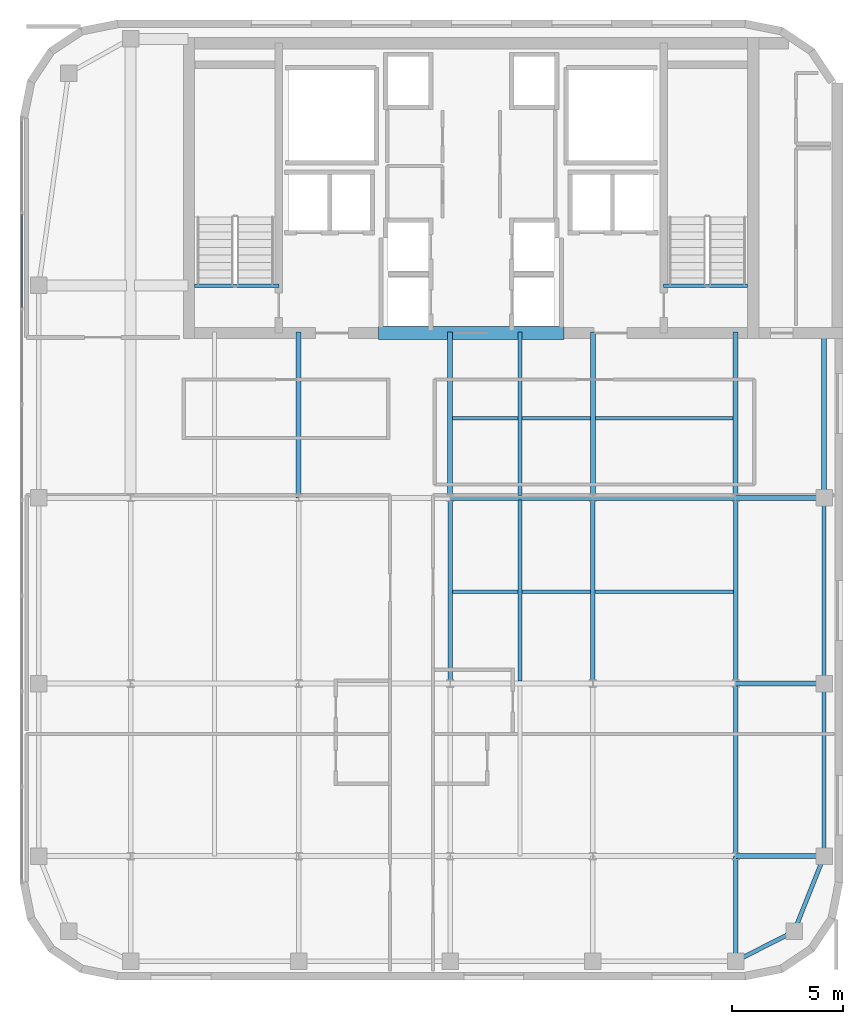
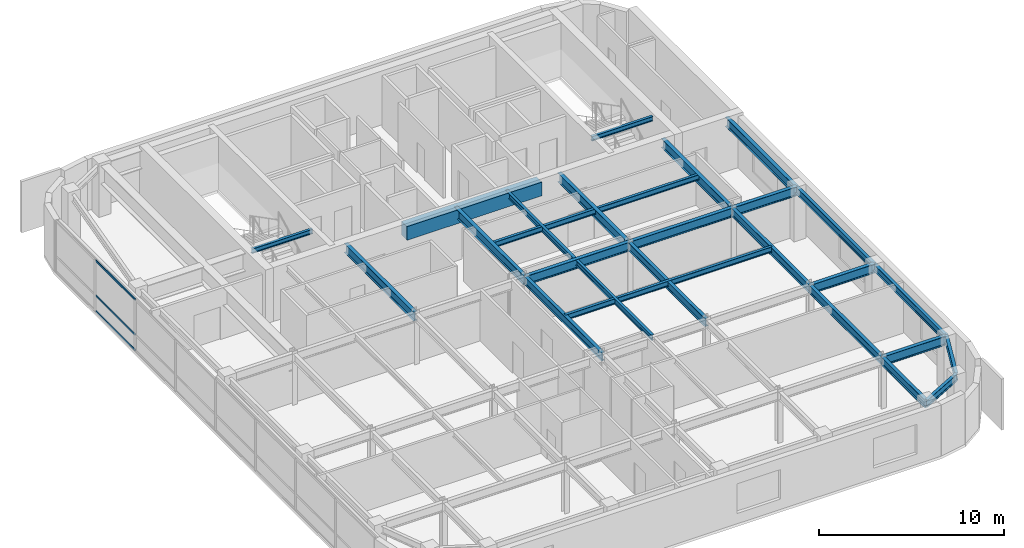
# One storey, part 10 of 19: 26 beams, 3 members, 1 element without a shape of its own.
"""IFC4 building model written with IfcOpenShell, lengths in metres."""

from ifc_helpers import new_model, si_unit, direction, frame, origin, origin_2d, place, context, subcontext, project, spatial, rectangle, hollow_rectangle, i_section, extrude, source, transform, mapped, material, layer, layer_set, material_profile, profile_set, type_object, type_shapes, element, aggregate, save


model = new_model("IFC4")

# Units and contexts
model_context = context("Model", 3, precision=1e-05, world=origin(), true_north=direction((0.0, 1.0)))
body_context = subcontext(model_context, "Body", "Model", "MODEL_VIEW")
ifc_project = project(units=[si_unit("LENGTHUNIT", "METRE"), si_unit("AREAUNIT", "SQUARE_METRE"), si_unit("VOLUMEUNIT", "CUBIC_METRE"), si_unit("PLANEANGLEUNIT", "RADIAN"), si_unit("MASSUNIT", "GRAM", prefix="KILO")], contexts=[model_context])

# Site, building, storey
site_placement = place(None, origin())
site = spatial("IfcSite", under=ifc_project, at=site_placement, CompositionType="ELEMENT")
building_placement = place(site_placement, origin())
building = spatial("IfcBuilding", under=site, at=building_placement, Name="Tolvann Quenvar Hotel", CompositionType="ELEMENT")
storey_placement = place(building_placement, frame((0.0, 0.0, 223.89990234375)))
storey = spatial("IfcBuildingStorey", under=building, at=storey_placement, Name="L59", CompositionType="ELEMENT", Elevation=223.89990234375)

# Beams
ifc_material_1 = material(Name="Concrete N50 (50 MPa)", Category="concrete")
ifc_material_profile_1 = material_profile(ifc_material_1, rectangle(XDim=0.60009765625, YDim=0.89990234375, at=origin_2d()), Name="RC600x900")
ifc_profile_set_1 = profile_set([ifc_material_profile_1], Name="Concrete N50 (50 MPa)")
beam_type_1 = type_object("IfcBeamType", Name="BM_LINT_RC600x900", PredefinedType="LINTEL", material=ifc_profile_set_1)
shared_shape_1 = source(origin(), body_context, "Body", "SweptSolid", [
    extrude(rectangle(XDim=0.60009765625, YDim=0.89990234375, at=origin_2d()), origin(), (0.0, 0.0, 1.0), 8.39990234375),
])
type_shapes(beam_type_1, [shared_shape_1])
beam_1_placement = place(storey_placement, frame((18.800048828125, 31.85009765625, 2.920166015625), z_axis=(1.0, 0.0, 0.0), x_axis=(0.0, 1.0, 0.0)))
element("IfcBeam", 1, at=beam_1_placement, inside=storey, type_object=beam_type_1, Name="Core Coupling Lintel Beam (L59)", PredefinedType="LINTEL", context=body_context, shape_type="MappedRepresentation", body=[
    mapped(shared_shape_1, transform((0.0, 0.0, 0.0), x_axis=(1.0, 0.0, 0.0), y_axis=(0.0, 1.0, 0.0), z_axis=(0.0, 0.0, 1.0), scale=1.0)),
])
ifc_material_2 = material(Name="Steel Grade 350", Category="steel")
ifc_material_profile_2 = material_profile(ifc_material_2, i_section(OverallWidth=0.208984375, OverallDepth=0.532958984375, WebThickness=0.01025390625, FlangeThickness=0.015625, FilletRadius=0.013916015625, at=origin_2d()), Name="530UB92")
ifc_profile_set_2 = profile_set([ifc_material_profile_2], Name="Steel Grade 350")
beam_type_2 = type_object("IfcBeamType", Name="BM_GIRD_530UB92", PredefinedType="BEAM", material=ifc_profile_set_2)
shared_shape_2 = source(origin(), body_context, "Body", "SweptSolid", [
    extrude(i_section(OverallWidth=0.208984375, OverallDepth=0.532958984375, WebThickness=0.01025390625, FlangeThickness=0.015625, FilletRadius=0.013916015625, at=origin_2d()), origin(), (0.0, 0.0, 1.0), 7.800048828125),
])
beam_2_placement = place(storey_placement, frame((34.949951171875, 8.199951171875, 3.103515625), z_axis=(0.0, 1.0, 0.0), x_axis=(-1.0, 0.0, 0.0)))
element("IfcBeam", 2, at=beam_2_placement, inside=storey, type_object=beam_type_2, Name="BM-L59-NS-F3-F4", PredefinedType="BEAM", context=body_context, shape_type="MappedRepresentation", body=[
    mapped(shared_shape_2, transform((0.0, 0.0, 0.0), x_axis=(1.0, 0.0, 0.0), y_axis=(0.0, 1.0, 0.0), z_axis=(0.0, 0.0, 1.0), scale=1.0)),
])
shared_shape_3 = source(origin(), body_context, "Body", "SweptSolid", [
    extrude(i_section(OverallWidth=0.208984375, OverallDepth=0.532958984375, WebThickness=0.01025390625, FlangeThickness=0.015625, FilletRadius=0.013916015625, at=origin_2d()), origin(), (0.0, 0.0, 1.0), 8.39990234375),
])
for number, where, z_axis, x_axis, name in (
    (3, (22.050048828125, 16.0, 3.103515625), (0.0, 1.0, 0.0), (-1.0, 0.0, 0.0), "BM-L59-NS-E4-E5"),
    (4, (34.949951171875, 16.0, 3.103515625), (0.0, 1.0, 0.0), (-1.0, 0.0, 0.0), "BM-L59-NS-F4-F5"),
    (5, (28.5, 16.0, 3.103515625), (0.0, 1.0, 0.0), (-1.0, 0.0, 0.0), "BM-L59-NS-M4-M5"),
):
    element("IfcBeam", number, at=place(storey_placement, frame(where, z_axis=z_axis, x_axis=x_axis)), inside=storey, type_object=beam_type_2, Name=name, PredefinedType="BEAM", context=body_context, shape_type="MappedRepresentation", body=[
        mapped(shared_shape_3, transform((0.0, 0.0, 0.0), x_axis=(1.0, 0.0, 0.0), y_axis=(0.0, 1.0, 0.0), z_axis=(0.0, 0.0, 1.0), scale=1.0)),
    ])
ifc_material_profile_3 = material_profile(ifc_material_2, i_section(OverallWidth=0.166015625, OverallDepth=0.306884765625, WebThickness=0.006591796875, FlangeThickness=0.01171875, FilletRadius=0.011474609375, at=origin_2d()), Name="310UB46")
ifc_profile_set_3 = profile_set([ifc_material_profile_3], Name="Steel Grade 350")
beam_type_3 = type_object("IfcBeamType", Name="BM_JOIST_310UB46", PredefinedType="JOIST", material=ifc_profile_set_3)
shared_shape_4 = source(origin(), body_context, "Body", "SweptSolid", [
    extrude(i_section(OverallWidth=0.166015625, OverallDepth=0.306884765625, WebThickness=0.006591796875, FlangeThickness=0.01171875, FilletRadius=0.011474609375, at=origin_2d()), origin(), (0.0, 0.0, 1.0), 3.800048828125),
])
type_shapes(beam_type_3, [shared_shape_4])
for number, where, z_axis, x_axis, name in (
    (6, (10.5, 33.97998046875, 3.216552734375), (1.0, 0.0, 0.0), (0.0, 1.0, 0.0), "BM-HDR-STC1-L60"),
    (7, (31.699951171875, 33.97998046875, 3.216552734375), (1.0, 0.0, 0.0), (0.0, 1.0, 0.0), "BM-HDR-STC2-L60"),
):
    element("IfcBeam", number, at=place(storey_placement, frame(where, z_axis=z_axis, x_axis=x_axis)), inside=storey, type_object=beam_type_3, Name=name, PredefinedType="JOIST", context=body_context, shape_type="MappedRepresentation", body=[
        mapped(shared_shape_4, transform((0.0, 0.0, 0.0), x_axis=(1.0, 0.0, 0.0), y_axis=(0.0, 1.0, 0.0), z_axis=(0.0, 0.0, 1.0), scale=1.0)),
    ])
ifc_material_profile_4 = material_profile(ifc_material_2, i_section(OverallWidth=0.172119140625, OverallDepth=0.35888671875, WebThickness=0.008056640625, FlangeThickness=0.012939453125, FilletRadius=0.011474609375, at=origin_2d()), Name="360UB57")
ifc_profile_set_4 = profile_set([ifc_material_profile_4], Name="Steel Grade 350")
beam_type_4 = type_object("IfcBeamType", Name="BM_JOIST_360UB57", PredefinedType="JOIST", material=ifc_profile_set_4)
shared_shape_5 = source(origin(), body_context, "Body", "SweptSolid", [
    extrude(i_section(OverallWidth=0.172119140625, OverallDepth=0.35888671875, WebThickness=0.008056640625, FlangeThickness=0.012939453125, FilletRadius=0.011474609375, at=origin_2d()), origin(), (0.0, 0.0, 1.0), 12.89990234375),
])
for number, where, z_axis, x_axis, name in (
    (8, (22.050048828125, 20.14990234375, 3.190673828125), (1.0, 0.0, 0.0), (0.0, 1.0, 0.0), "BM-L59-SPINE-20"),
    (9, (22.050048828125, 28.0, 3.190673828125), (1.0, 0.0, 0.0), (0.0, 1.0, 0.0), "BM-L59-SPINE-28"),
):
    element("IfcBeam", number, at=place(storey_placement, frame(where, z_axis=z_axis, x_axis=x_axis)), inside=storey, type_object=beam_type_4, Name=name, PredefinedType="JOIST", context=body_context, shape_type="MappedRepresentation", body=[
        mapped(shared_shape_5, transform((0.0, 0.0, 0.0), x_axis=(1.0, 0.0, 0.0), y_axis=(0.0, 1.0, 0.0), z_axis=(0.0, 0.0, 1.0), scale=1.0)),
    ])
ifc_material_profile_5 = material_profile(ifc_material_2, i_section(OverallWidth=0.22802734375, OverallDepth=0.60205078125, WebThickness=0.010498046875, FlangeThickness=0.014892578125, FilletRadius=0.013916015625, at=origin_2d()), Name="610UB101")
ifc_profile_set_5 = profile_set([ifc_material_profile_5], Name="Steel Grade 350")
beam_type_5 = type_object("IfcBeamType", Name="BM_GIRD_610UB101", PredefinedType="BEAM", material=ifc_profile_set_5)
shared_shape_6 = source(origin(), body_context, "Body", "SweptSolid", [
    extrude(i_section(OverallWidth=0.22802734375, OverallDepth=0.60205078125, WebThickness=0.010498046875, FlangeThickness=0.014892578125, FilletRadius=0.013916015625, at=origin_2d()), origin(), (0.0, 0.0, 1.0), 6.449951171875),
])
for number, where, z_axis, x_axis, name in (
    (10, (22.050048828125, 24.39990234375, 3.069091796875), (1.0, 0.0, 0.0), (0.0, 1.0, 0.0), "BM-L59-EW-5-E5-M5"),
    (11, (28.5, 24.39990234375, 3.069091796875), (1.0, 0.0, 0.0), (0.0, 1.0, 0.0), "BM-L59-EW-5-M5-F5"),
):
    element("IfcBeam", number, at=place(storey_placement, frame(where, z_axis=z_axis, x_axis=x_axis)), inside=storey, type_object=beam_type_5, Name=name, PredefinedType="BEAM", context=body_context, shape_type="MappedRepresentation", body=[
        mapped(shared_shape_6, transform((0.0, 0.0, 0.0), x_axis=(1.0, 0.0, 0.0), y_axis=(0.0, 1.0, 0.0), z_axis=(0.0, 0.0, 1.0), scale=1.0)),
    ])
shared_shape_7 = source(origin(), body_context, "Body", "SweptSolid", [
    extrude(i_section(OverallWidth=0.208984375, OverallDepth=0.532958984375, WebThickness=0.01025390625, FlangeThickness=0.015625, FilletRadius=0.013916015625, at=origin_2d()), origin(), (0.0, 0.0, 1.0), 4.75),
])
type_shapes(beam_type_2, [shared_shape_2, shared_shape_3, shared_shape_7])
beam_3_placement = place(storey_placement, frame((34.949951171875, 3.449951171875, 3.103515625), z_axis=(0.0, 1.0, 0.0), x_axis=(-1.0, 0.0, 0.0)))
element("IfcBeam", 12, at=beam_3_placement, inside=storey, type_object=beam_type_2, Name="BM-L59-NS-F2-F3", PredefinedType="BEAM", context=body_context, shape_type="MappedRepresentation", body=[
    mapped(shared_shape_7, transform((0.0, 0.0, 0.0), x_axis=(1.0, 0.0, 0.0), y_axis=(0.0, 1.0, 0.0), z_axis=(0.0, 0.0, 1.0), scale=1.0)),
])
shared_shape_8 = source(origin(), body_context, "Body", "SweptSolid", [
    extrude(i_section(OverallWidth=0.22802734375, OverallDepth=0.60205078125, WebThickness=0.010498046875, FlangeThickness=0.014892578125, FilletRadius=0.013916015625, at=origin_2d()), origin(), (0.0, 0.0, 1.0), 7.5),
])
for number, where, z_axis, x_axis, name in (
    (13, (15.199951171875, 24.39990234375, 3.069091796875), (0.0, 1.0, 0.0), (-1.0, 0.0, 0.0), "BM-L59-CORE-D5"),
    (14, (22.050048828125, 24.39990234375, 3.069091796875), (0.0, 1.0, 0.0), (-1.0, 0.0, 0.0), "BM-L59-CORE-E5"),
    (15, (34.949951171875, 24.39990234375, 3.069091796875), (0.0, 1.0, 0.0), (-1.0, 0.0, 0.0), "BM-L59-CORE-F5"),
    (16, (38.949951171875, 24.39990234375, 3.069091796875), (0.0, 1.0, 0.0), (-1.0, 0.0, 0.0), "BM-L59-CORE-G5"),
    (17, (28.5, 24.39990234375, 3.069091796875), (0.0, 1.0, 0.0), (-1.0, 0.0, 0.0), "BM-L59-CORE-M5"),
):
    element("IfcBeam", number, at=place(storey_placement, frame(where, z_axis=z_axis, x_axis=x_axis)), inside=storey, type_object=beam_type_5, Name=name, PredefinedType="BEAM", context=body_context, shape_type="MappedRepresentation", body=[
        mapped(shared_shape_8, transform((0.0, 0.0, 0.0), x_axis=(1.0, 0.0, 0.0), y_axis=(0.0, 1.0, 0.0), z_axis=(0.0, 0.0, 1.0), scale=1.0)),
    ])
shared_shape_9 = source(origin(), body_context, "Body", "SweptSolid", [
    extrude(i_section(OverallWidth=0.172119140625, OverallDepth=0.35888671875, WebThickness=0.008056640625, FlangeThickness=0.012939453125, FilletRadius=0.011474609375, at=origin_2d()), origin(), (0.0, 0.0, 1.0), 8.18408203125),
])
beam_4_placement = place(storey_placement, frame((25.199951171875, 16.10791015625, 3.190673828125), z_axis=(0.0, 1.0, 0.0), x_axis=(-1.0, 0.0, 0.0)))
element("IfcBeam", 18, at=beam_4_placement, inside=storey, type_object=beam_type_4, Name="BJ-L59-252-160", PredefinedType="JOIST", context=body_context, shape_type="MappedRepresentation", body=[
    mapped(shared_shape_9, transform((0.0, 0.0, 0.0), x_axis=(1.0, 0.0, 0.0), y_axis=(0.0, 1.0, 0.0), z_axis=(0.0, 0.0, 1.0), scale=1.0)),
])
shared_shape_10 = source(origin(), body_context, "Body", "SweptSolid", [
    extrude(i_section(OverallWidth=0.172119140625, OverallDepth=0.35888671875, WebThickness=0.008056640625, FlangeThickness=0.012939453125, FilletRadius=0.011474609375, at=origin_2d()), origin(), (0.0, 0.0, 1.0), 7.391845703125),
])
type_shapes(beam_type_4, [shared_shape_5, shared_shape_9, shared_shape_10])
beam_5_placement = place(storey_placement, frame((25.199951171875, 24.508056640625, 3.190673828125), z_axis=(0.0, 1.0, 0.0), x_axis=(-1.0, 0.0, 0.0)))
element("IfcBeam", 19, at=beam_5_placement, inside=storey, type_object=beam_type_4, Name="BJ-L59-252-244", PredefinedType="JOIST", context=body_context, shape_type="MappedRepresentation", body=[
    mapped(shared_shape_10, transform((0.0, 0.0, 0.0), x_axis=(1.0, 0.0, 0.0), y_axis=(0.0, 1.0, 0.0), z_axis=(0.0, 0.0, 1.0), scale=1.0)),
])
ifc_material_profile_6 = material_profile(ifc_material_2, i_section(OverallWidth=0.19091796875, OverallDepth=0.4599609375, WebThickness=0.010009765625, FlangeThickness=0.01611328125, FilletRadius=0.011474609375, at=origin_2d()), Name="460UB82")
ifc_profile_set_6 = profile_set([ifc_material_profile_6], Name="Steel Grade 350")
beam_type_6 = type_object("IfcBeamType", Name="BM_SPAND_460UB82", PredefinedType="SPANDREL", material=ifc_profile_set_6)
shared_shape_11 = source(origin(), body_context, "Body", "SweptSolid", [
    extrude(i_section(OverallWidth=0.19091796875, OverallDepth=0.4599609375, WebThickness=0.010009765625, FlangeThickness=0.01611328125, FilletRadius=0.011474609375, at=origin_2d()), origin(), (0.0, 0.0, 1.0), 2.97412109375),
])
beam_6_placement = place(storey_placement, frame((34.949951171875, 3.449951171875, 3.14013671875), z_axis=(0.891036364695, 0.453931929688, 0.0), x_axis=(-0.453931929688, 0.891036364695, 0.0)))
element("IfcBeam", 20, at=beam_6_placement, inside=storey, type_object=beam_type_6, Name="BM-L59-EW-2-F2-G2", PredefinedType="SPANDREL", context=body_context, shape_type="MappedRepresentation", body=[
    mapped(shared_shape_11, transform((0.0, 0.0, 0.0), x_axis=(1.0, 0.0, 0.0), y_axis=(0.0, 1.0, 0.0), z_axis=(0.0, 0.0, 1.0), scale=1.0)),
])
shared_shape_12 = source(origin(), body_context, "Body", "SweptSolid", [
    extrude(i_section(OverallWidth=0.22802734375, OverallDepth=0.60205078125, WebThickness=0.010498046875, FlangeThickness=0.014892578125, FilletRadius=0.013916015625, at=origin_2d()), origin(), (0.0, 0.0, 1.0), 4.0),
])
type_shapes(beam_type_5, [shared_shape_6, shared_shape_8, shared_shape_12])
for number, where, z_axis, x_axis, name in (
    (21, (34.949951171875, 8.199951171875, 3.069091796875), (1.0, 0.0, 0.0), (0.0, 1.0, 0.0), "BM-L59-EW-3-F3-G3"),
    (22, (34.949951171875, 16.0, 3.069091796875), (1.0, 0.0, 0.0), (0.0, 1.0, 0.0), "BM-L59-EW-4-F4-G4"),
    (23, (34.949951171875, 24.39990234375, 3.069091796875), (1.0, 0.0, 0.0), (0.0, 1.0, 0.0), "BM-L59-EW-5-F5-G5"),
):
    element("IfcBeam", number, at=place(storey_placement, frame(where, z_axis=z_axis, x_axis=x_axis)), inside=storey, type_object=beam_type_5, Name=name, PredefinedType="BEAM", context=body_context, shape_type="MappedRepresentation", body=[
        mapped(shared_shape_12, transform((0.0, 0.0, 0.0), x_axis=(1.0, 0.0, 0.0), y_axis=(0.0, 1.0, 0.0), z_axis=(0.0, 0.0, 1.0), scale=1.0)),
    ])
shared_shape_13 = source(origin(), body_context, "Body", "SweptSolid", [
    extrude(i_section(OverallWidth=0.19091796875, OverallDepth=0.4599609375, WebThickness=0.010009765625, FlangeThickness=0.01611328125, FilletRadius=0.011474609375, at=origin_2d()), origin(), (0.0, 0.0, 1.0), 7.800048828125),
])
beam_7_placement = place(storey_placement, frame((38.949951171875, 8.199951171875, 3.14013671875), z_axis=(0.0, 1.0, 0.0), x_axis=(-1.0, 0.0, 0.0)))
element("IfcBeam", 24, at=beam_7_placement, inside=storey, type_object=beam_type_6, Name="BM-L59-NS-G3-G4", PredefinedType="SPANDREL", context=body_context, shape_type="MappedRepresentation", body=[
    mapped(shared_shape_13, transform((0.0, 0.0, 0.0), x_axis=(1.0, 0.0, 0.0), y_axis=(0.0, 1.0, 0.0), z_axis=(0.0, 0.0, 1.0), scale=1.0)),
])
shared_shape_14 = source(origin(), body_context, "Body", "SweptSolid", [
    extrude(i_section(OverallWidth=0.19091796875, OverallDepth=0.4599609375, WebThickness=0.010009765625, FlangeThickness=0.01611328125, FilletRadius=0.011474609375, at=origin_2d()), origin(), (0.0, 0.0, 1.0), 8.39990234375),
])
beam_8_placement = place(storey_placement, frame((38.949951171875, 16.0, 3.14013671875), z_axis=(0.0, 1.0, 0.0), x_axis=(-1.0, 0.0, 0.0)))
element("IfcBeam", 25, at=beam_8_placement, inside=storey, type_object=beam_type_6, Name="BM-L59-NS-G4-G5", PredefinedType="SPANDREL", context=body_context, shape_type="MappedRepresentation", body=[
    mapped(shared_shape_14, transform((0.0, 0.0, 0.0), x_axis=(1.0, 0.0, 0.0), y_axis=(0.0, 1.0, 0.0), z_axis=(0.0, 0.0, 1.0), scale=1.0)),
])
shared_shape_15 = source(origin(), body_context, "Body", "SweptSolid", [
    extrude(i_section(OverallWidth=0.19091796875, OverallDepth=0.4599609375, WebThickness=0.010009765625, FlangeThickness=0.01611328125, FilletRadius=0.011474609375, at=origin_2d()), origin(), (0.0, 0.0, 1.0), 3.657958984375),
])
type_shapes(beam_type_6, [shared_shape_11, shared_shape_13, shared_shape_14, shared_shape_15])
beam_9_placement = place(storey_placement, frame((37.60009765625, 4.800048828125, 3.14013671875), z_axis=(0.369007513371, 0.929426411867, 0.0), x_axis=(-0.929426411867, 0.369007513371, 0.0)))
element("IfcBeam", 26, at=beam_9_placement, inside=storey, type_object=beam_type_6, Name="BM-L59-NS-G2-G3", PredefinedType="SPANDREL", context=body_context, shape_type="MappedRepresentation", body=[
    mapped(shared_shape_15, transform((0.0, 0.0, 0.0), x_axis=(1.0, 0.0, 0.0), y_axis=(0.0, 1.0, 0.0), z_axis=(0.0, 0.0, 1.0), scale=1.0)),
])

# Curtain wall, members
ifc_material_3 = material(Name="Thermally broken anodised architectural aluminium 6063-T6 and laminated low-E glass", Category="aluminium")
ifc_layer = layer(ifc_material_3, 0.179931640625)
ifc_layer_set = layer_set([ifc_layer], Name="Thermally broken anodised architectural aluminium 6063-T6 and laminated low-E glass")
curtain_wall_type = type_object("IfcCurtainWallType", Name="CW_SYS_BAND_04", PredefinedType="USERDEFINED", material=ifc_layer_set)
curtain_wall_placement = place(storey_placement, origin())
curtain_wall = element("IfcCurtainWall", 27, at=curtain_wall_placement, inside=storey, type_object=curtain_wall_type, Name="Curtain Wall CW-BAND-04 (CWR-L59-E19)", ObjectType="UNITISED CURTAIN WALL", PredefinedType="USERDEFINED")
ifc_material_4 = material(Name="Anodised architectural aluminium 6063-T6 framing", Category="aluminium")
ifc_material_profile_7 = material_profile(ifc_material_4, hollow_rectangle(XDim=0.06005859375, YDim=0.1201171875, WallThickness=0.00341796875, at=origin_2d()), Name="120x60x3.5RHS")
ifc_profile_set_7 = profile_set([ifc_material_profile_7], Name="Anodised architectural aluminium 6063-T6 framing")
member_type = type_object("IfcMemberType", Name="CW_TRAN_120x60", PredefinedType="USERDEFINED", material=ifc_profile_set_7)
shared_shape_16 = source(origin(), body_context, "Body", "SweptSolid", [
    extrude(hollow_rectangle(XDim=0.06005859375, YDim=0.1201171875, WallThickness=0.00341796875, at=origin_2d()), origin(), (0.0, 0.0, 1.0), 4.250732421875),
])
type_shapes(member_type, [shared_shape_16])
member_1_placement = place(storey_placement, frame((2.68994140625, 37.22705078125, 0.030029296875), z_axis=(0.0, -1.0, 0.0), x_axis=(1.0, 0.0, 0.0)))
member_1 = element("IfcMember", 28, at=member_1_placement, type_object=member_type, Name="CW-BAND-04 transom 2.1", ObjectType="TRANSOM", PredefinedType="USERDEFINED", context=body_context, shape_type="MappedRepresentation", body=[
    mapped(shared_shape_16, transform((0.0, 0.0, 0.0), x_axis=(1.0, 0.0, 0.0), y_axis=(0.0, 1.0, 0.0), z_axis=(0.0, 0.0, 1.0), scale=1.0)),
])
member_2_placement = place(storey_placement, frame((2.68994140625, 37.22705078125, 1.050048828125), z_axis=(0.0, -1.0, 0.0), x_axis=(1.0, 0.0, 0.0)))
member_2 = element("IfcMember", 29, at=member_2_placement, type_object=member_type, Name="CW-BAND-04 transom 2.2", ObjectType="TRANSOM", PredefinedType="USERDEFINED", context=body_context, shape_type="MappedRepresentation", body=[
    mapped(shared_shape_16, transform((0.0, 0.0, 0.0), x_axis=(1.0, 0.0, 0.0), y_axis=(0.0, 1.0, 0.0), z_axis=(0.0, 0.0, 1.0), scale=1.0)),
])
member_3_placement = place(storey_placement, frame((2.68994140625, 37.22705078125, 3.340087890625), z_axis=(0.0, -1.0, 0.0), x_axis=(1.0, 0.0, 0.0)))
member_3 = element("IfcMember", 30, at=member_3_placement, type_object=member_type, Name="CW-BAND-04 transom 2.3", ObjectType="TRANSOM", PredefinedType="USERDEFINED", context=body_context, shape_type="MappedRepresentation", body=[
    mapped(shared_shape_16, transform((0.0, 0.0, 0.0), x_axis=(1.0, 0.0, 0.0), y_axis=(0.0, 1.0, 0.0), z_axis=(0.0, 0.0, 1.0), scale=1.0)),
])
aggregate(curtain_wall, [member_1, member_2, member_3])

save(model, "model.ifc")
